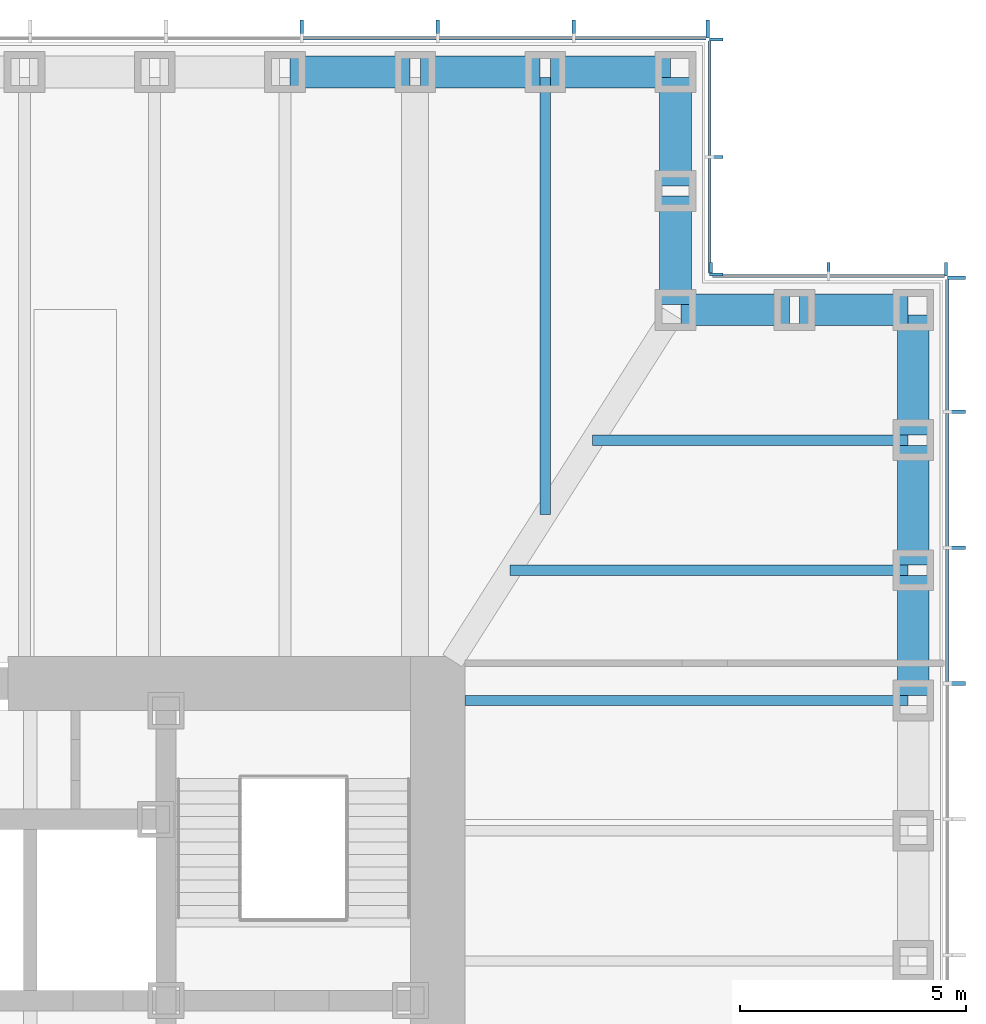
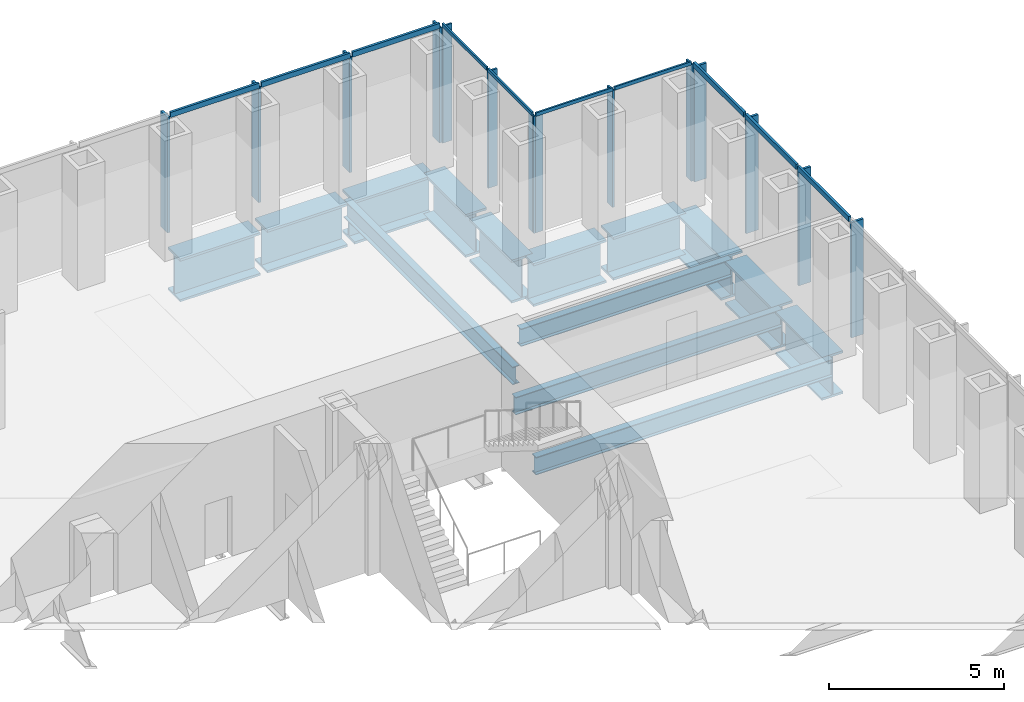
# One storey, part 6 of 16: 24 members, 14 beams, 4 elements without a shape of their own.
"""IFC4 building model written with IfcOpenShell, lengths in metres."""

from ifc_helpers import new_model, si_unit, direction, frame, origin, origin_2d, place, context, subcontext, project, spatial, rectangle, i_section, extrude, material, material_profile, profile_set, type_object, element, aggregate, save


model = new_model("IFC4")

# Units and contexts
model_context = context("Model", 3, precision=1e-05, world=origin(), true_north=direction((0.0, 1.0)))
body_context = subcontext(model_context, "Body", "Model", "MODEL_VIEW")
ifc_project = project(units=[si_unit("LENGTHUNIT", "METRE"), si_unit("AREAUNIT", "SQUARE_METRE"), si_unit("VOLUMEUNIT", "CUBIC_METRE"), si_unit("PLANEANGLEUNIT", "RADIAN"), si_unit("MASSUNIT", "GRAM", prefix="KILO")], contexts=[model_context])

# Site, building, storey
site_placement = place(None, origin())
site = spatial("IfcSite", under=ifc_project, at=site_placement, CompositionType="ELEMENT")
building_placement = place(site_placement, origin())
building = spatial("IfcBuilding", under=site, at=building_placement, Name="Daluyong Arena Tower", CompositionType="ELEMENT")
storey_placement = place(building_placement, frame((0.0, 0.0, 133.300048828125)))
storey = spatial("IfcBuildingStorey", under=building, at=storey_placement, Name="L29", CompositionType="ELEMENT", Elevation=133.300048828125)

# Curtain wall, members
ifc_material_1 = material(Name="Bronze anodised aluminium and glass", Category="aluminium")
curtain_wall_type_1 = type_object("IfcCurtainWallType", Name="Curtain wall CW2", PredefinedType="USERDEFINED", material=ifc_material_1)
curtain_wall_1_placement = place(storey_placement, origin())
curtain_wall_1 = element("IfcCurtainWall", 1, at=curtain_wall_1_placement, inside=storey, type_object=curtain_wall_type_1, Name="curtain wall L29 E", ObjectType="UNITISED CURTAIN WALL", PredefinedType="USERDEFINED")
ifc_material_2 = material(Name="Bronze anodised aluminium fin", Category="aluminium")
ifc_material_profile_1 = material_profile(ifc_material_2, rectangle(XDim=0.39990234375, YDim=0.080078125, at=origin_2d()))
ifc_profile_set_1 = profile_set([ifc_material_profile_1], Name="Bronze anodised aluminium fin")
member_type_1 = type_object("IfcMemberType", Name="CW2 bronze fin 400x80", PredefinedType="MULLION", material=ifc_profile_set_1)
member_1_placement = place(storey_placement, frame((79.449951171875, 89.0, 0.0), z_axis=(0.0, 0.0, 1.0), x_axis=(-1.0, 0.0, 0.0)))
member_1 = element("IfcMember", 2, at=member_1_placement, type_object=member_type_1, Name="curtain wall L29 E fin 10", PredefinedType="MULLION", context=body_context, shape_type="SweptSolid", body=[
    extrude(rectangle(XDim=0.39990234375, YDim=0.080078125, at=origin_2d()), origin(), (0.0, 0.0, 1.0), 4.02001953125),
])
member_2_placement = place(storey_placement, frame((79.449951171875, 92.0, 0.0), z_axis=(0.0, 0.0, 1.0), x_axis=(-1.0, 0.0, 0.0)))
member_2 = element("IfcMember", 3, at=member_2_placement, type_object=member_type_1, Name="curtain wall L29 E fin 11", PredefinedType="MULLION", context=body_context, shape_type="SweptSolid", body=[
    extrude(rectangle(XDim=0.39990234375, YDim=0.080078125, at=origin_2d()), origin(), (0.0, 0.0, 1.0), 4.02001953125),
])
member_3_placement = place(storey_placement, frame((79.449951171875, 95.0, 0.0), z_axis=(0.0, 0.0, 1.0), x_axis=(-1.0, 0.0, 0.0)))
member_3 = element("IfcMember", 4, at=member_3_placement, type_object=member_type_1, Name="curtain wall L29 E fin 12", PredefinedType="MULLION", context=body_context, shape_type="SweptSolid", body=[
    extrude(rectangle(XDim=0.39990234375, YDim=0.080078125, at=origin_2d()), origin(), (0.0, 0.0, 1.0), 4.02001953125),
])
member_4_placement = place(storey_placement, frame((79.449951171875, 97.9599609375, 0.0), z_axis=(0.0, 0.0, 1.0), x_axis=(-1.0, 0.0, 0.0)))
member_4 = element("IfcMember", 5, at=member_4_placement, type_object=member_type_1, Name="curtain wall L29 E fin 13", PredefinedType="MULLION", context=body_context, shape_type="SweptSolid", body=[
    extrude(rectangle(XDim=0.39990234375, YDim=0.080078125, at=origin_2d()), origin(), (0.0, 0.0, 1.0), 4.02001953125),
])

curtain_wall_2_placement = place(storey_placement, origin())
curtain_wall_2 = element("IfcCurtainWall", 6, at=curtain_wall_2_placement, inside=storey, type_object=curtain_wall_type_1, Name="curtain wall L29 N", ObjectType="UNITISED CURTAIN WALL", PredefinedType="USERDEFINED")
member_5_placement = place(storey_placement, frame((73.9599609375, 103.449951171875, 0.0), z_axis=(0.0, 0.0, 1.0), x_axis=(0.0, -1.0, 0.0)))
member_5 = element("IfcMember", 7, at=member_5_placement, type_object=member_type_1, Name="curtain wall L29 N fin 1", PredefinedType="MULLION", context=body_context, shape_type="SweptSolid", body=[
    extrude(rectangle(XDim=0.39990234375, YDim=0.080078125, at=origin_2d()), origin(), (0.0, 0.0, 1.0), 4.02001953125),
])
member_6_placement = place(storey_placement, frame((71.0, 103.449951171875, 0.0), z_axis=(0.0, 0.0, 1.0), x_axis=(0.0, -1.0, 0.0)))
member_6 = element("IfcMember", 8, at=member_6_placement, type_object=member_type_1, Name="curtain wall L29 N fin 2", PredefinedType="MULLION", context=body_context, shape_type="SweptSolid", body=[
    extrude(rectangle(XDim=0.39990234375, YDim=0.080078125, at=origin_2d()), origin(), (0.0, 0.0, 1.0), 4.02001953125),
])
member_7_placement = place(storey_placement, frame((68.0, 103.449951171875, 0.0), z_axis=(0.0, 0.0, 1.0), x_axis=(0.0, -1.0, 0.0)))
member_7 = element("IfcMember", 9, at=member_7_placement, type_object=member_type_1, Name="curtain wall L29 N fin 3", PredefinedType="MULLION", context=body_context, shape_type="SweptSolid", body=[
    extrude(rectangle(XDim=0.39990234375, YDim=0.080078125, at=origin_2d()), origin(), (0.0, 0.0, 1.0), 4.02001953125),
])
member_8_placement = place(storey_placement, frame((65.0, 103.449951171875, 0.0), z_axis=(0.0, 0.0, 1.0), x_axis=(0.0, -1.0, 0.0)))
member_8 = element("IfcMember", 10, at=member_8_placement, type_object=member_type_1, Name="curtain wall L29 N fin 4", PredefinedType="MULLION", context=body_context, shape_type="SweptSolid", body=[
    extrude(rectangle(XDim=0.39990234375, YDim=0.080078125, at=origin_2d()), origin(), (0.0, 0.0, 1.0), 4.02001953125),
])

# Member
ifc_material_3 = material(Name="Bronze anodised aluminium", Category="aluminium")
ifc_material_profile_2 = material_profile(ifc_material_3, rectangle(XDim=0.080078125, YDim=0.179931640625, at=origin_2d()))
ifc_profile_set_2 = profile_set([ifc_material_profile_2], Name="Bronze anodised aluminium")
member_type_2 = type_object("IfcMemberType", Name="CW2 stack transom 180x80", PredefinedType="USERDEFINED", material=ifc_profile_set_2)
member_9_placement = place(storey_placement, frame((79.25, 89.0400390625, 4.10986328125), z_axis=(0.0, 1.0, 0.0), x_axis=(-1.0, 0.0, 0.0)))
member_9 = element("IfcMember", 11, at=member_9_placement, type_object=member_type_2, Name="curtain wall L29 E transom 10", ObjectType="TRANSOM", PredefinedType="USERDEFINED", context=body_context, shape_type="SweptSolid", body=[
    extrude(rectangle(XDim=0.080078125, YDim=0.179931640625, at=origin_2d()), origin(), (0.0, 0.0, 1.0), 2.919921875),
])

member_10_placement = place(storey_placement, frame((79.25, 92.0400390625, 4.10986328125), z_axis=(0.0, 1.0, 0.0), x_axis=(-1.0, 0.0, 0.0)))
member_10 = element("IfcMember", 12, at=member_10_placement, type_object=member_type_2, Name="curtain wall L29 E transom 11", ObjectType="TRANSOM", PredefinedType="USERDEFINED", context=body_context, shape_type="SweptSolid", body=[
    extrude(rectangle(XDim=0.080078125, YDim=0.179931640625, at=origin_2d()), origin(), (0.0, 0.0, 1.0), 2.919921875),
])

member_11_placement = place(storey_placement, frame((79.25, 95.0400390625, 4.10986328125), z_axis=(0.0, 1.0, 0.0), x_axis=(-1.0, 0.0, 0.0)))
member_11 = element("IfcMember", 13, at=member_11_placement, type_object=member_type_2, Name="curtain wall L29 E transom 12", ObjectType="TRANSOM", PredefinedType="USERDEFINED", context=body_context, shape_type="SweptSolid", body=[
    extrude(rectangle(XDim=0.080078125, YDim=0.179931640625, at=origin_2d()), origin(), (0.0, 0.0, 1.0), 2.8798828125),
])

aggregate(curtain_wall_1, [member_1, member_2, member_3, member_4, member_9, member_10, member_11])

member_12_placement = place(storey_placement, frame((73.919921875, 103.25, 4.10986328125), z_axis=(-1.0, 0.0, 0.0), x_axis=(0.0, -1.0, 0.0)))
member_12 = element("IfcMember", 14, at=member_12_placement, type_object=member_type_2, Name="curtain wall L29 N transom 1", ObjectType="TRANSOM", PredefinedType="USERDEFINED", context=body_context, shape_type="SweptSolid", body=[
    extrude(rectangle(XDim=0.080078125, YDim=0.179931640625, at=origin_2d()), origin(), (0.0, 0.0, 1.0), 2.8798828125),
])

member_13_placement = place(storey_placement, frame((70.9599609375, 103.25, 4.10986328125), z_axis=(-1.0, 0.0, 0.0), x_axis=(0.0, -1.0, 0.0)))
member_13 = element("IfcMember", 15, at=member_13_placement, type_object=member_type_2, Name="curtain wall L29 N transom 2", ObjectType="TRANSOM", PredefinedType="USERDEFINED", context=body_context, shape_type="SweptSolid", body=[
    extrude(rectangle(XDim=0.080078125, YDim=0.179931640625, at=origin_2d()), origin(), (0.0, 0.0, 1.0), 2.919921875),
])

member_14_placement = place(storey_placement, frame((67.9599609375, 103.25, 4.10986328125), z_axis=(-1.0, 0.0, 0.0), x_axis=(0.0, -1.0, 0.0)))
member_14 = element("IfcMember", 16, at=member_14_placement, type_object=member_type_2, Name="curtain wall L29 N transom 3", ObjectType="TRANSOM", PredefinedType="USERDEFINED", context=body_context, shape_type="SweptSolid", body=[
    extrude(rectangle(XDim=0.080078125, YDim=0.179931640625, at=origin_2d()), origin(), (0.0, 0.0, 1.0), 2.919921875),
])

aggregate(curtain_wall_2, [member_5, member_6, member_7, member_8, member_12, member_13, member_14])

# Curtain wall, members
ifc_material_4 = material(Name="Bronze anodised aluminium and glass", Category="aluminium")
curtain_wall_type_2 = type_object("IfcCurtainWallType", Name="Curtain wall CW7", PredefinedType="USERDEFINED", material=ifc_material_4)
curtain_wall_3_placement = place(storey_placement, origin())
curtain_wall_3 = element("IfcCurtainWall", 17, at=curtain_wall_3_placement, inside=storey, type_object=curtain_wall_type_2, Name="curtain wall L29 NE-N", ObjectType="UNITISED CURTAIN WALL", PredefinedType="USERDEFINED")
ifc_material_5 = material(Name="Bronze anodised aluminium fin", Category="aluminium")
ifc_material_profile_3 = material_profile(ifc_material_5, rectangle(XDim=0.300048828125, YDim=0.06005859375, at=origin_2d()))
ifc_profile_set_3 = profile_set([ifc_material_profile_3], Name="Bronze anodised aluminium fin")
member_type_3 = type_object("IfcMemberType", Name="CW7 bronze fin 300x60", PredefinedType="MULLION", material=ifc_profile_set_3)
member_15_placement = place(storey_placement, frame((79.219970703125, 98.14990234375, 0.0), z_axis=(0.0, 0.0, 1.0), x_axis=(0.0, -1.0, 0.0)))
member_15 = element("IfcMember", 18, at=member_15_placement, type_object=member_type_3, Name="curtain wall L29 NE-N fin 1", PredefinedType="MULLION", context=body_context, shape_type="SweptSolid", body=[
    extrude(rectangle(XDim=0.300048828125, YDim=0.06005859375, at=origin_2d()), origin(), (0.0, 0.0, 1.0), 4.079833984375),
])
member_16_placement = place(storey_placement, frame((76.625, 98.14990234375, 0.0), z_axis=(0.0, 0.0, 1.0), x_axis=(0.0, -1.0, 0.0)))
member_16 = element("IfcMember", 19, at=member_16_placement, type_object=member_type_3, Name="curtain wall L29 NE-N fin 2", PredefinedType="MULLION", context=body_context, shape_type="SweptSolid", body=[
    extrude(rectangle(XDim=0.300048828125, YDim=0.06005859375, at=origin_2d()), origin(), (0.0, 0.0, 1.0), 4.079833984375),
])
member_17_placement = place(storey_placement, frame((74.030029296875, 98.14990234375, 0.0), z_axis=(0.0, 0.0, 1.0), x_axis=(0.0, -1.0, 0.0)))
member_17 = element("IfcMember", 20, at=member_17_placement, type_object=member_type_3, Name="curtain wall L29 NE-N fin 3", PredefinedType="MULLION", context=body_context, shape_type="SweptSolid", body=[
    extrude(rectangle(XDim=0.300048828125, YDim=0.06005859375, at=origin_2d()), origin(), (0.0, 0.0, 1.0), 4.079833984375),
])

curtain_wall_4_placement = place(storey_placement, origin())
curtain_wall_4 = element("IfcCurtainWall", 21, at=curtain_wall_4_placement, inside=storey, type_object=curtain_wall_type_2, Name="curtain wall L29 NE-E", ObjectType="UNITISED CURTAIN WALL", PredefinedType="USERDEFINED")
member_18_placement = place(storey_placement, frame((74.14990234375, 98.030029296875, 0.0), z_axis=(0.0, 0.0, 1.0), x_axis=(-1.0, 0.0, 0.0)))
member_18 = element("IfcMember", 22, at=member_18_placement, type_object=member_type_3, Name="curtain wall L29 NE-E fin 1", PredefinedType="MULLION", context=body_context, shape_type="SweptSolid", body=[
    extrude(rectangle(XDim=0.300048828125, YDim=0.06005859375, at=origin_2d()), origin(), (0.0, 0.0, 1.0), 4.079833984375),
])
member_19_placement = place(storey_placement, frame((74.14990234375, 100.625, 0.0), z_axis=(0.0, 0.0, 1.0), x_axis=(-1.0, 0.0, 0.0)))
member_19 = element("IfcMember", 23, at=member_19_placement, type_object=member_type_3, Name="curtain wall L29 NE-E fin 2", PredefinedType="MULLION", context=body_context, shape_type="SweptSolid", body=[
    extrude(rectangle(XDim=0.300048828125, YDim=0.06005859375, at=origin_2d()), origin(), (0.0, 0.0, 1.0), 4.079833984375),
])
member_20_placement = place(storey_placement, frame((74.14990234375, 103.219970703125, 0.0), z_axis=(0.0, 0.0, 1.0), x_axis=(-1.0, 0.0, 0.0)))
member_20 = element("IfcMember", 24, at=member_20_placement, type_object=member_type_3, Name="curtain wall L29 NE-E fin 3", PredefinedType="MULLION", context=body_context, shape_type="SweptSolid", body=[
    extrude(rectangle(XDim=0.300048828125, YDim=0.06005859375, at=origin_2d()), origin(), (0.0, 0.0, 1.0), 4.079833984375),
])

# Member
ifc_material_6 = material(Name="Bronze anodised aluminium", Category="aluminium")
ifc_material_profile_4 = material_profile(ifc_material_6, rectangle(XDim=0.06005859375, YDim=0.1201171875, at=origin_2d()))
ifc_profile_set_4 = profile_set([ifc_material_profile_4], Name="Bronze anodised aluminium")
member_type_4 = type_object("IfcMemberType", Name="CW7 stack transom 120x60", PredefinedType="USERDEFINED", material=ifc_profile_set_4)
member_21_placement = place(storey_placement, frame((79.18994140625, 98.0, 4.139892578125), z_axis=(-1.0, 0.0, 0.0), x_axis=(0.0, -1.0, 0.0)))
member_21 = element("IfcMember", 25, at=member_21_placement, type_object=member_type_4, Name="curtain wall L29 NE-N transom 1", ObjectType="TRANSOM", PredefinedType="USERDEFINED", context=body_context, shape_type="SweptSolid", body=[
    extrude(rectangle(XDim=0.06005859375, YDim=0.1201171875, at=origin_2d()), origin(), (0.0, 0.0, 1.0), 2.534912109375),
])

member_22_placement = place(storey_placement, frame((76.594970703125, 98.0, 4.139892578125), z_axis=(-1.0, 0.0, 0.0), x_axis=(0.0, -1.0, 0.0)))
member_22 = element("IfcMember", 26, at=member_22_placement, type_object=member_type_4, Name="curtain wall L29 NE-N transom 2", ObjectType="TRANSOM", PredefinedType="USERDEFINED", context=body_context, shape_type="SweptSolid", body=[
    extrude(rectangle(XDim=0.06005859375, YDim=0.1201171875, at=origin_2d()), origin(), (0.0, 0.0, 1.0), 2.534912109375),
])

aggregate(curtain_wall_3, [member_15, member_16, member_17, member_21, member_22])

member_23_placement = place(storey_placement, frame((74.0, 98.06005859375, 4.139892578125), z_axis=(0.0, 1.0, 0.0), x_axis=(-1.0, 0.0, 0.0)))
member_23 = element("IfcMember", 27, at=member_23_placement, type_object=member_type_4, Name="curtain wall L29 NE-E transom 1", ObjectType="TRANSOM", PredefinedType="USERDEFINED", context=body_context, shape_type="SweptSolid", body=[
    extrude(rectangle(XDim=0.06005859375, YDim=0.1201171875, at=origin_2d()), origin(), (0.0, 0.0, 1.0), 2.534912109375),
])

member_24_placement = place(storey_placement, frame((74.0, 100.655029296875, 4.139892578125), z_axis=(0.0, 1.0, 0.0), x_axis=(-1.0, 0.0, 0.0)))
member_24 = element("IfcMember", 28, at=member_24_placement, type_object=member_type_4, Name="curtain wall L29 NE-E transom 2", ObjectType="TRANSOM", PredefinedType="USERDEFINED", context=body_context, shape_type="SweptSolid", body=[
    extrude(rectangle(XDim=0.06005859375, YDim=0.1201171875, at=origin_2d()), origin(), (0.0, 0.0, 1.0), 2.534912109375),
])

aggregate(curtain_wall_4, [member_18, member_19, member_20, member_23, member_24])

# Beams
ifc_material_7 = material(Name="Steel ASTM A992 Grade 50", Category="steel")
ifc_material_profile_5 = material_profile(ifc_material_7, i_section(OverallWidth=0.22900390625, OverallDepth=0.612060546875, WebThickness=0.011962890625, FlangeThickness=0.01953125, at=origin_2d()))
ifc_profile_set_5 = profile_set([ifc_material_profile_5], Name="Steel ASTM A992 Grade 50")
beam_type_1 = type_object("IfcBeamType", Name="Floor beam W24X84", PredefinedType="BEAM", material=ifc_profile_set_5)
beam_1_placement = place(storey_placement, frame((78.385009765625, 88.625, -0.466064453125), z_axis=(-1.0, 0.0, 0.0), x_axis=(0.0, -1.0, 0.0)))
element("IfcBeam", 29, at=beam_1_placement, inside=storey, type_object=beam_type_1, Name="floor beam FB3", PredefinedType="BEAM", context=body_context, shape_type="SweptSolid", body=[
    extrude(i_section(OverallWidth=0.22900390625, OverallDepth=0.612060546875, WebThickness=0.011962890625, FlangeThickness=0.01953125, at=origin_2d()), origin(), (0.0, 0.0, 1.0), 9.784912109375),
])
beam_2_placement = place(storey_placement, frame((78.385009765625, 91.5, -0.466064453125), z_axis=(-1.0, 0.0, 0.0), x_axis=(0.0, -1.0, 0.0)))
element("IfcBeam", 30, at=beam_2_placement, inside=storey, type_object=beam_type_1, Name="floor beam FB3", PredefinedType="BEAM", context=body_context, shape_type="SweptSolid", body=[
    extrude(i_section(OverallWidth=0.22900390625, OverallDepth=0.612060546875, WebThickness=0.011962890625, FlangeThickness=0.01953125, at=origin_2d()), origin(), (0.0, 0.0, 1.0), 8.794189453125),
])
beam_3_placement = place(storey_placement, frame((78.385009765625, 94.375, -0.466064453125), z_axis=(-1.0, 0.0, 0.0), x_axis=(0.0, -1.0, 0.0)))
element("IfcBeam", 31, at=beam_3_placement, inside=storey, type_object=beam_type_1, Name="floor beam FB3", PredefinedType="BEAM", context=body_context, shape_type="SweptSolid", body=[
    extrude(i_section(OverallWidth=0.22900390625, OverallDepth=0.612060546875, WebThickness=0.011962890625, FlangeThickness=0.01953125, at=origin_2d()), origin(), (0.0, 0.0, 1.0), 6.964599609375),
])
beam_4_placement = place(storey_placement, frame((70.375, 102.385009765625, -0.466064453125), z_axis=(0.0, -1.0, 0.0), x_axis=(1.0, 0.0, 0.0)))
element("IfcBeam", 32, at=beam_4_placement, inside=storey, type_object=beam_type_1, Name="floor beam FB3", PredefinedType="BEAM", context=body_context, shape_type="SweptSolid", body=[
    extrude(i_section(OverallWidth=0.22900390625, OverallDepth=0.612060546875, WebThickness=0.011962890625, FlangeThickness=0.01953125, at=origin_2d()), origin(), (0.0, 0.0, 1.0), 9.65283203125),
])
ifc_material_8 = material(Name="Steel ASTM A572 Grade 50", Category="steel")
ifc_material_profile_6 = material_profile(ifc_material_8, i_section(OverallWidth=0.699951171875, OverallDepth=1.5, WebThickness=0.04, FlangeThickness=0.08, at=origin_2d()))
ifc_profile_set_6 = profile_set([ifc_material_profile_6], Name="Steel ASTM A572 Grade 50")
beam_type_2 = type_object("IfcBeamType", Name="Spandrel Z2 PG1500X700", PredefinedType="SPANDREL", material=ifc_profile_set_6)
for number, where, z_axis, x_axis, name in (
    (33, (78.5, 88.739990234375, -0.91015625), (0.0, 1.0, 0.0), (-1.0, 0.0, 0.0), "spandrel z2 SB6"),
    (34, (78.5, 91.614990234375, -0.91015625), (0.0, 1.0, 0.0), (-1.0, 0.0, 0.0), "spandrel z2 SB6"),
    (35, (78.5, 94.489990234375, -0.91015625), (0.0, 1.0, 0.0), (-1.0, 0.0, 0.0), "spandrel z2 SB6"),
):
    element("IfcBeam", number, at=place(storey_placement, frame(where, z_axis=z_axis, x_axis=x_axis)), inside=storey, type_object=beam_type_2, Name=name, PredefinedType="SPANDREL", context=body_context, shape_type="SweptSolid", body=[
        extrude(i_section(OverallWidth=0.699951171875, OverallDepth=1.5, WebThickness=0.04, FlangeThickness=0.08, at=origin_2d()), origin(), (0.0, 0.0, 1.0), 2.64501953125),
    ])
for number, where, z_axis, x_axis, name in (
    (36, (78.385009765625, 97.25, -0.91015625), (-1.0, 0.0, 0.0), (0.0, -1.0, 0.0), "spandrel z2 SB6"),
    (37, (75.760009765625, 97.25, -0.91015625), (-1.0, 0.0, 0.0), (0.0, -1.0, 0.0), "spandrel z2 SB6"),
    (38, (73.25, 97.364990234375, -0.91015625), (0.0, 1.0, 0.0), (-1.0, 0.0, 0.0), "spandrel z2 SB6"),
    (39, (73.25, 99.989990234375, -0.91015625), (0.0, 1.0, 0.0), (-1.0, 0.0, 0.0), "spandrel z2 SB6"),
):
    element("IfcBeam", number, at=place(storey_placement, frame(where, z_axis=z_axis, x_axis=x_axis)), inside=storey, type_object=beam_type_2, Name=name, PredefinedType="SPANDREL", context=body_context, shape_type="SweptSolid", body=[
        extrude(i_section(OverallWidth=0.699951171875, OverallDepth=1.5, WebThickness=0.04, FlangeThickness=0.08, at=origin_2d()), origin(), (0.0, 0.0, 1.0), 2.39501953125),
    ])
for number, where, z_axis, x_axis, name in (
    (40, (73.135009765625, 102.5, -0.91015625), (-1.0, 0.0, 0.0), (0.0, -1.0, 0.0), "spandrel z2 SB6"),
    (41, (70.260009765625, 102.5, -0.91015625), (-1.0, 0.0, 0.0), (0.0, -1.0, 0.0), "spandrel z2 SB6"),
    (42, (67.385009765625, 102.5, -0.91015625), (-1.0, 0.0, 0.0), (0.0, -1.0, 0.0), "spandrel z2 SB6"),
):
    element("IfcBeam", number, at=place(storey_placement, frame(where, z_axis=z_axis, x_axis=x_axis)), inside=storey, type_object=beam_type_2, Name=name, PredefinedType="SPANDREL", context=body_context, shape_type="SweptSolid", body=[
        extrude(i_section(OverallWidth=0.699951171875, OverallDepth=1.5, WebThickness=0.04, FlangeThickness=0.08, at=origin_2d()), origin(), (0.0, 0.0, 1.0), 2.64501953125),
    ])

save(model, "model.ifc")
